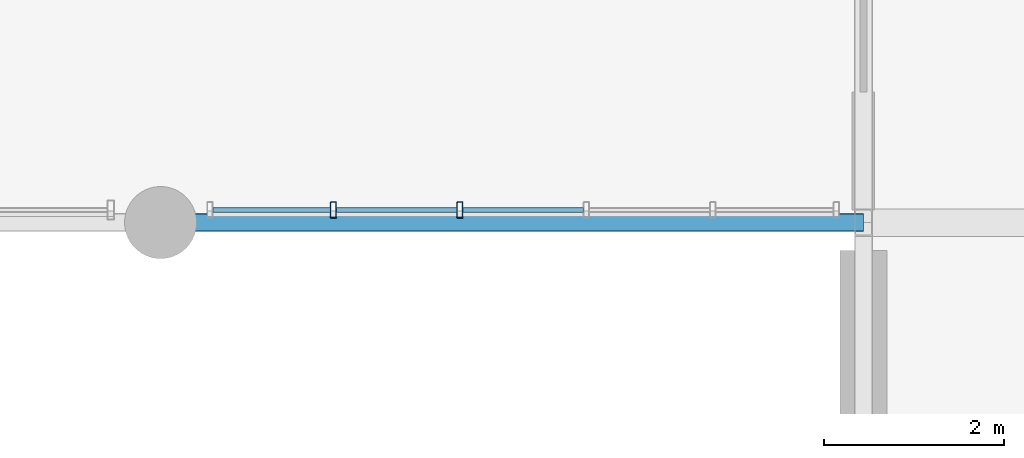
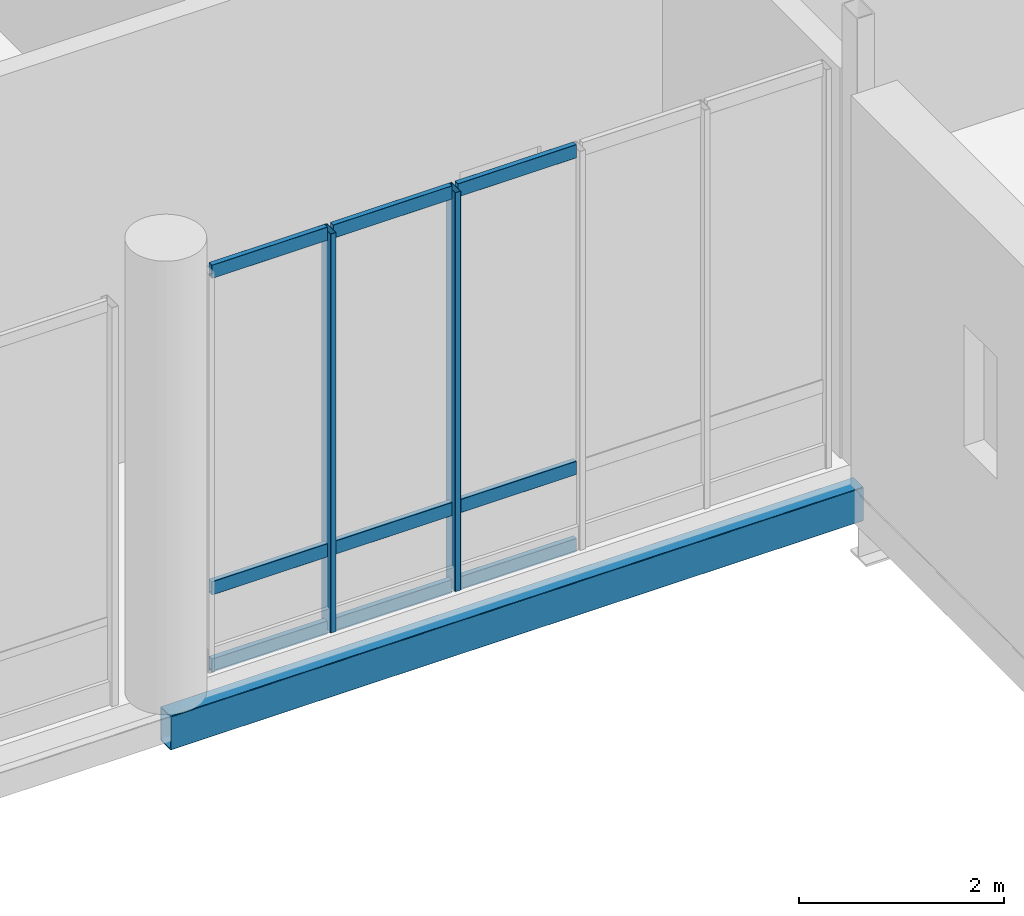
# One storey, part 56 of 128: 11 members, 1 beam, 1 element without a shape of its own.
"""IFC4 building model written with IfcOpenShell, lengths in metres."""

from ifc_helpers import new_model, si_unit, direction, frame, origin_with_axes, origin_2d_with_axis, place, context, subcontext, project, spatial, hollow_rectangle, extrude, material, material_profile, profile_set, type_object, element, aggregate, save


model = new_model("IFC4")

# Units and contexts
model_context = context("Model", 3, precision=1e-05, world=origin_with_axes(), true_north=direction((0.0, 1.0)))
body_context = subcontext(model_context, "Body", "Model", "MODEL_VIEW")
ifc_project = project(units=[si_unit("LENGTHUNIT", "METRE"), si_unit("AREAUNIT", "SQUARE_METRE"), si_unit("VOLUMEUNIT", "CUBIC_METRE"), si_unit("PLANEANGLEUNIT", "RADIAN"), si_unit("MASSUNIT", "GRAM", prefix="KILO"), si_unit("THERMODYNAMICTEMPERATUREUNIT", "KELVIN")], contexts=[model_context])

# Site, building, storey
site_placement = place(None, origin_with_axes())
site = spatial("IfcSite", under=ifc_project, at=site_placement, CompositionType="ELEMENT")
building_placement = place(site_placement, origin_with_axes())
building = spatial("IfcBuilding", under=site, at=building_placement, Name="Montbau Bow Law Courts", CompositionType="ELEMENT")
storey_placement = place(building_placement, frame((0.0, 0.0, 5.4), z_axis=(0.0, 0.0, 1.0), x_axis=(1.0, 0.0, 0.0)))
storey = spatial("IfcBuildingStorey", under=building, at=storey_placement, Name="L01", CompositionType="ELEMENT", Elevation=5.4)

# Beam
ifc_material_1 = material(Name="Steel CSA G40.21 Grade 350WT (350 MPa)", Category="steel")
ifc_material_profile_1 = material_profile(ifc_material_1, hollow_rectangle(XDim=0.203, YDim=0.406, WallThickness=0.0127, InnerFilletRadius=0.0254, OuterFilletRadius=0.0127, at=origin_2d_with_axis()), Name="HSS406X203X13", Category="Main", Priority=0)
ifc_profile_set_1 = profile_set([ifc_material_profile_1], Name="Steel CSA G40.21 Grade 350WT (350 MPa)")
beam_type = type_object("IfcBeamType", Name="B-SPN-01", PredefinedType="SPANDREL", material=ifc_profile_set_1)
beam_placement = place(None, frame((114.0, 22.2, 4.957), z_axis=(1.0, 0.0, 0.0), x_axis=(0.0, 1.0, 0.0)))
element("IfcBeam", 1, at=beam_placement, inside=storey, type_object=beam_type, Name="SPN-L01-S1069:bm2_1072", PredefinedType="SPANDREL", context=body_context, shape_type="SweptSolid", body=[
    extrude(hollow_rectangle(XDim=0.203, YDim=0.406, WallThickness=0.0127, InnerFilletRadius=0.0254, OuterFilletRadius=0.0127, at=origin_2d_with_axis()), origin_with_axes(), (0.0, 0.0, 1.0), 7.8),
])

# Curtain wall, members
ifc_material_2 = material(Name="Thermally Broken Extruded Aluminium AA 6063-T6", Category="aluminium")
curtain_wall_type = type_object("IfcCurtainWallType", Name="CW-WGC-01", PredefinedType="NOTDEFINED", material=ifc_material_2)
curtain_wall_placement = place(None, frame((114.515, 22.34, 5.4), z_axis=(0.0, 0.0, 1.0), x_axis=(1.0, 0.0, 0.0)))
curtain_wall = element("IfcCurtainWall", 2, at=curtain_wall_placement, inside=storey, type_object=curtain_wall_type, Name="CW-L01-412:cw_0412", PredefinedType="NOTDEFINED")
ifc_material_profile_2 = material_profile(ifc_material_2, hollow_rectangle(XDim=0.065, YDim=0.18, WallThickness=0.005, InnerFilletRadius=0.01, OuterFilletRadius=0.005, at=origin_2d_with_axis()), Name="CWM-180X65", Category="Main", Priority=0)
ifc_profile_set_2 = profile_set([ifc_material_profile_2], Name="Thermally Broken Extruded Aluminium AA 6063-T6")
member_type_1 = type_object("IfcMemberType", Name="M-MUL-02", PredefinedType="MULLION", material=ifc_profile_set_2)
member_1_placement = place(None, frame((115.918, 22.34, 5.4), z_axis=(0.0, 0.0, 1.0), x_axis=(1.0, 0.0, 0.0)))
member_1 = element("IfcMember", 3, at=member_1_placement, type_object=member_type_1, Name="CW-L01-412-M02:cw_0412_M02", PredefinedType="MULLION", context=body_context, shape_type="SweptSolid", body=[
    extrude(hollow_rectangle(XDim=0.065, YDim=0.18, WallThickness=0.005, InnerFilletRadius=0.01, OuterFilletRadius=0.005, at=origin_2d_with_axis()), origin_with_axes(), (0.0, 0.0, 1.0), 4.75),
])
member_2_placement = place(None, frame((117.322, 22.34, 5.4), z_axis=(0.0, 0.0, 1.0), x_axis=(1.0, 0.0, 0.0)))
member_2 = element("IfcMember", 4, at=member_2_placement, type_object=member_type_1, Name="CW-L01-412-M03:cw_0412_M03", PredefinedType="MULLION", context=body_context, shape_type="SweptSolid", body=[
    extrude(hollow_rectangle(XDim=0.065, YDim=0.18, WallThickness=0.005, InnerFilletRadius=0.01, OuterFilletRadius=0.005, at=origin_2d_with_axis()), origin_with_axes(), (0.0, 0.0, 1.0), 4.75),
])
ifc_material_profile_3 = material_profile(ifc_material_2, hollow_rectangle(XDim=0.06, YDim=0.16, WallThickness=0.004, InnerFilletRadius=0.008, OuterFilletRadius=0.004, at=origin_2d_with_axis()), Name="CWT-160X60", Category="Main", Priority=0)
ifc_profile_set_3 = profile_set([ifc_material_profile_3], Name="Thermally Broken Extruded Aluminium AA 6063-T6")
member_type_2 = type_object("IfcMemberType", Name="M-TRN-01", PredefinedType="USERDEFINED", material=ifc_profile_set_3)
member_3_placement = place(None, frame((114.583, 22.34, 5.43), z_axis=(1.0, 0.0, 0.0), x_axis=(0.0, 1.0, 0.0)))
member_3 = element("IfcMember", 5, at=member_3_placement, type_object=member_type_2, Name="CW-L01-412-T01-1:cw_0412_T01_1", ObjectType="TRANSOM", PredefinedType="USERDEFINED", context=body_context, shape_type="SweptSolid", body=[
    extrude(hollow_rectangle(XDim=0.06, YDim=0.16, WallThickness=0.004, InnerFilletRadius=0.008, OuterFilletRadius=0.004, at=origin_2d_with_axis()), origin_with_axes(), (0.0, 0.0, 1.0), 1.301),
])
member_4_placement = place(None, frame((114.583, 22.34, 6.35), z_axis=(1.0, 0.0, 0.0), x_axis=(0.0, 1.0, 0.0)))
member_4 = element("IfcMember", 6, at=member_4_placement, type_object=member_type_2, Name="CW-L01-412-T01-2:cw_0412_T01_2", ObjectType="TRANSOM", PredefinedType="USERDEFINED", context=body_context, shape_type="SweptSolid", body=[
    extrude(hollow_rectangle(XDim=0.06, YDim=0.16, WallThickness=0.004, InnerFilletRadius=0.008, OuterFilletRadius=0.004, at=origin_2d_with_axis()), origin_with_axes(), (0.0, 0.0, 1.0), 1.301),
])
member_5_placement = place(None, frame((114.583, 22.34, 10.12), z_axis=(1.0, 0.0, 0.0), x_axis=(0.0, 1.0, 0.0)))
member_5 = element("IfcMember", 7, at=member_5_placement, type_object=member_type_2, Name="CW-L01-412-T01-3:cw_0412_T01_3", ObjectType="TRANSOM", PredefinedType="USERDEFINED", context=body_context, shape_type="SweptSolid", body=[
    extrude(hollow_rectangle(XDim=0.06, YDim=0.16, WallThickness=0.004, InnerFilletRadius=0.008, OuterFilletRadius=0.004, at=origin_2d_with_axis()), origin_with_axes(), (0.0, 0.0, 1.0), 1.301),
])
member_6_placement = place(None, frame((115.953, 22.34, 5.43), z_axis=(1.0, 0.0, 0.0), x_axis=(0.0, 1.0, 0.0)))
member_6 = element("IfcMember", 8, at=member_6_placement, type_object=member_type_2, Name="CW-L01-412-T02-1:cw_0412_T02_1", ObjectType="TRANSOM", PredefinedType="USERDEFINED", context=body_context, shape_type="SweptSolid", body=[
    extrude(hollow_rectangle(XDim=0.06, YDim=0.16, WallThickness=0.004, InnerFilletRadius=0.008, OuterFilletRadius=0.004, at=origin_2d_with_axis()), origin_with_axes(), (0.0, 0.0, 1.0), 1.334),
])
member_7_placement = place(None, frame((115.953, 22.34, 6.35), z_axis=(1.0, 0.0, 0.0), x_axis=(0.0, 1.0, 0.0)))
member_7 = element("IfcMember", 9, at=member_7_placement, type_object=member_type_2, Name="CW-L01-412-T02-2:cw_0412_T02_2", ObjectType="TRANSOM", PredefinedType="USERDEFINED", context=body_context, shape_type="SweptSolid", body=[
    extrude(hollow_rectangle(XDim=0.06, YDim=0.16, WallThickness=0.004, InnerFilletRadius=0.008, OuterFilletRadius=0.004, at=origin_2d_with_axis()), origin_with_axes(), (0.0, 0.0, 1.0), 1.334),
])
member_8_placement = place(None, frame((115.953, 22.34, 10.12), z_axis=(1.0, 0.0, 0.0), x_axis=(0.0, 1.0, 0.0)))
member_8 = element("IfcMember", 10, at=member_8_placement, type_object=member_type_2, Name="CW-L01-412-T02-3:cw_0412_T02_3", ObjectType="TRANSOM", PredefinedType="USERDEFINED", context=body_context, shape_type="SweptSolid", body=[
    extrude(hollow_rectangle(XDim=0.06, YDim=0.16, WallThickness=0.004, InnerFilletRadius=0.008, OuterFilletRadius=0.004, at=origin_2d_with_axis()), origin_with_axes(), (0.0, 0.0, 1.0), 1.334),
])
member_9_placement = place(None, frame((117.356, 22.34, 5.43), z_axis=(1.0, 0.0, 0.0), x_axis=(0.0, 1.0, 0.0)))
member_9 = element("IfcMember", 11, at=member_9_placement, type_object=member_type_2, Name="CW-L01-412-T03-1:cw_0412_T03_1", ObjectType="TRANSOM", PredefinedType="USERDEFINED", context=body_context, shape_type="SweptSolid", body=[
    extrude(hollow_rectangle(XDim=0.06, YDim=0.16, WallThickness=0.004, InnerFilletRadius=0.008, OuterFilletRadius=0.004, at=origin_2d_with_axis()), origin_with_axes(), (0.0, 0.0, 1.0), 1.335),
])
member_10_placement = place(None, frame((117.356, 22.34, 6.35), z_axis=(1.0, 0.0, 0.0), x_axis=(0.0, 1.0, 0.0)))
member_10 = element("IfcMember", 12, at=member_10_placement, type_object=member_type_2, Name="CW-L01-412-T03-2:cw_0412_T03_2", ObjectType="TRANSOM", PredefinedType="USERDEFINED", context=body_context, shape_type="SweptSolid", body=[
    extrude(hollow_rectangle(XDim=0.06, YDim=0.16, WallThickness=0.004, InnerFilletRadius=0.008, OuterFilletRadius=0.004, at=origin_2d_with_axis()), origin_with_axes(), (0.0, 0.0, 1.0), 1.335),
])
member_11_placement = place(None, frame((117.356, 22.34, 10.12), z_axis=(1.0, 0.0, 0.0), x_axis=(0.0, 1.0, 0.0)))
member_11 = element("IfcMember", 13, at=member_11_placement, type_object=member_type_2, Name="CW-L01-412-T03-3:cw_0412_T03_3", ObjectType="TRANSOM", PredefinedType="USERDEFINED", context=body_context, shape_type="SweptSolid", body=[
    extrude(hollow_rectangle(XDim=0.06, YDim=0.16, WallThickness=0.004, InnerFilletRadius=0.008, OuterFilletRadius=0.004, at=origin_2d_with_axis()), origin_with_axes(), (0.0, 0.0, 1.0), 1.335),
])
aggregate(curtain_wall, [member_1, member_2, member_3, member_4, member_5, member_6, member_7, member_8, member_9, member_10, member_11])

save(model, "model.ifc")
